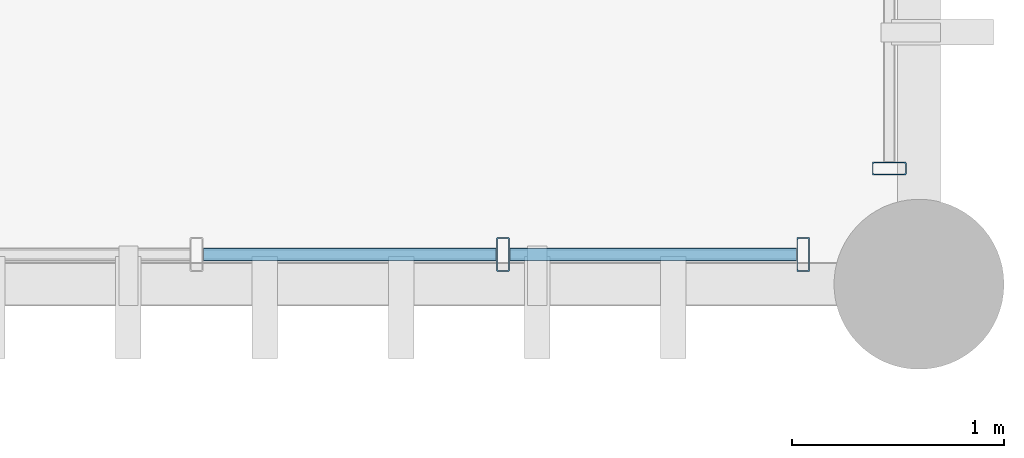
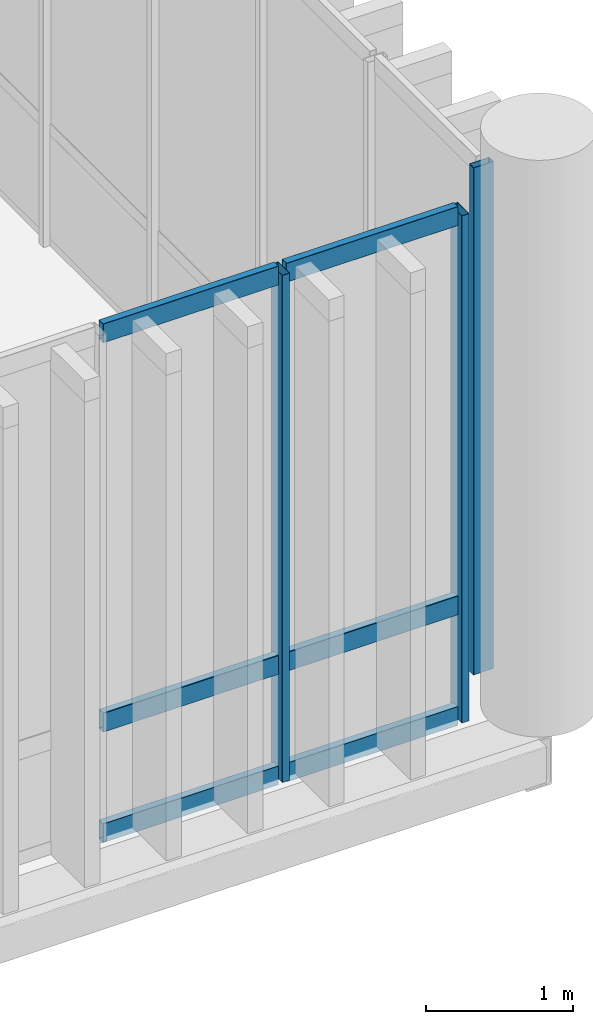
# One storey, part 68 of 109: 9 members, 2 elements without a shape of their own.
"""IFC4 building model written with IfcOpenShell, lengths in metres."""

from ifc_helpers import new_model, si_unit, direction, frame, origin_with_axes, origin_2d_with_axis, place, context, subcontext, project, spatial, hollow_rectangle, extrude, material, material_profile, profile_set, type_object, element, aggregate, save


model = new_model("IFC4")

# Units and contexts
model_context = context("Model", 3, precision=1e-05, world=origin_with_axes(), true_north=direction((0.0, 1.0)))
body_context = subcontext(model_context, "Body", "Model", "MODEL_VIEW")
ifc_project = project(units=[si_unit("LENGTHUNIT", "METRE"), si_unit("AREAUNIT", "SQUARE_METRE"), si_unit("VOLUMEUNIT", "CUBIC_METRE"), si_unit("PLANEANGLEUNIT", "RADIAN"), si_unit("MASSUNIT", "GRAM", prefix="KILO"), si_unit("THERMODYNAMICTEMPERATUREUNIT", "KELVIN")], contexts=[model_context])

# Site, building, storey
site_placement = place(None, origin_with_axes())
site = spatial("IfcSite", under=ifc_project, at=site_placement, CompositionType="ELEMENT")
building_placement = place(site_placement, origin_with_axes())
building = spatial("IfcBuilding", under=site, at=building_placement, Name="Montbau Bow Law Courts", CompositionType="ELEMENT")
storey_placement = place(building_placement, frame((0.0, 0.0, 10.8), z_axis=(0.0, 0.0, 1.0), x_axis=(1.0, 0.0, 0.0)))
storey = spatial("IfcBuildingStorey", under=building, at=storey_placement, Name="L02", CompositionType="ELEMENT", Elevation=10.8)

# Curtain wall, members
ifc_material = material(Name="Thermally Broken Extruded Aluminium AA 6063-T6", Category="aluminium")
curtain_wall_type = type_object("IfcCurtainWallType", Name="CW-SLT-01", PredefinedType="NOTDEFINED", material=ifc_material)
curtain_wall_1_placement = place(None, frame((163.115, 69.74, 10.8), z_axis=(0.0, 0.0, 1.0), x_axis=(1.0, 0.0, 0.0)))
curtain_wall_1 = element("IfcCurtainWall", 1, at=curtain_wall_1_placement, inside=storey, type_object=curtain_wall_type, Name="CW-L02-296:cw_0296", PredefinedType="NOTDEFINED")
ifc_material_profile_1 = material_profile(ifc_material, hollow_rectangle(XDim=0.06, YDim=0.16, WallThickness=0.004, InnerFilletRadius=0.008, OuterFilletRadius=0.004, at=origin_2d_with_axis()), Name="CWM-160X60", Category="Main", Priority=0)
ifc_profile_set_1 = profile_set([ifc_material_profile_1], Name="Thermally Broken Extruded Aluminium AA 6063-T6")
member_type_1 = type_object("IfcMemberType", Name="M-MUL-03", PredefinedType="MULLION", material=ifc_profile_set_1)
member_1_placement = place(None, frame((167.442, 69.74, 10.8), z_axis=(0.0, 0.0, 1.0), x_axis=(1.0, 0.0, 0.0)))
member_1 = element("IfcMember", 2, at=member_1_placement, type_object=member_type_1, Name="CW-L02-296-M04:cw_0296_M04", PredefinedType="MULLION", context=body_context, shape_type="SweptSolid", body=[
    extrude(hollow_rectangle(XDim=0.06, YDim=0.16, WallThickness=0.004, InnerFilletRadius=0.008, OuterFilletRadius=0.004, at=origin_2d_with_axis()), origin_with_axes(), (0.0, 0.0, 1.0), 4.22),
])
member_2_placement = place(None, frame((168.855, 69.74, 10.8), z_axis=(0.0, 0.0, 1.0), x_axis=(1.0, 0.0, 0.0)))
member_2 = element("IfcMember", 3, at=member_2_placement, type_object=member_type_1, Name="CW-L02-296-M05:cw_0296_M05", PredefinedType="MULLION", context=body_context, shape_type="SweptSolid", body=[
    extrude(hollow_rectangle(XDim=0.06, YDim=0.16, WallThickness=0.004, InnerFilletRadius=0.008, OuterFilletRadius=0.004, at=origin_2d_with_axis()), origin_with_axes(), (0.0, 0.0, 1.0), 4.22),
])

# Curtain wall, member
curtain_wall_2_placement = place(None, frame((169.26, 70.115, 10.8), z_axis=(0.0, 0.0, 1.0), x_axis=(1.0, 0.0, 0.0)))
curtain_wall_2 = element("IfcCurtainWall", 4, at=curtain_wall_2_placement, inside=storey, type_object=curtain_wall_type, Name="CW-L02-305:cw_0305", PredefinedType="NOTDEFINED")
member_3_placement = place(None, frame((169.26, 70.145, 10.8), z_axis=(0.0, 0.0, 1.0), x_axis=(0.0, 1.0, 0.0)))
member_3 = element("IfcMember", 5, at=member_3_placement, type_object=member_type_1, Name="CW-L02-305-M01:cw_0305_M01", PredefinedType="MULLION", context=body_context, shape_type="SweptSolid", body=[
    extrude(hollow_rectangle(XDim=0.06, YDim=0.16, WallThickness=0.004, InnerFilletRadius=0.008, OuterFilletRadius=0.004, at=origin_2d_with_axis()), origin_with_axes(), (0.0, 0.0, 1.0), 4.22),
])
aggregate(curtain_wall_2, [member_3])

# Member
ifc_material_profile_2 = material_profile(ifc_material, hollow_rectangle(XDim=0.06, YDim=0.16, WallThickness=0.004, InnerFilletRadius=0.008, OuterFilletRadius=0.004, at=origin_2d_with_axis()), Name="CWT-160X60", Category="Main", Priority=0)
ifc_profile_set_2 = profile_set([ifc_material_profile_2], Name="Thermally Broken Extruded Aluminium AA 6063-T6")
member_type_2 = type_object("IfcMemberType", Name="M-TRN-01", PredefinedType="USERDEFINED", material=ifc_profile_set_2)
member_4_placement = place(None, frame((166.032, 69.74, 10.83), z_axis=(1.0, 0.0, 0.0), x_axis=(0.0, 1.0, 0.0)))
member_4 = element("IfcMember", 6, at=member_4_placement, type_object=member_type_2, Name="CW-L02-296-T03-1:cw_0296_T03_1", ObjectType="TRANSOM", PredefinedType="USERDEFINED", context=body_context, shape_type="SweptSolid", body=[
    extrude(hollow_rectangle(XDim=0.06, YDim=0.16, WallThickness=0.004, InnerFilletRadius=0.008, OuterFilletRadius=0.004, at=origin_2d_with_axis()), origin_with_axes(), (0.0, 0.0, 1.0), 1.378),
])

member_5_placement = place(None, frame((166.032, 69.74, 11.75), z_axis=(1.0, 0.0, 0.0), x_axis=(0.0, 1.0, 0.0)))
member_5 = element("IfcMember", 7, at=member_5_placement, type_object=member_type_2, Name="CW-L02-296-T03-2:cw_0296_T03_2", ObjectType="TRANSOM", PredefinedType="USERDEFINED", context=body_context, shape_type="SweptSolid", body=[
    extrude(hollow_rectangle(XDim=0.06, YDim=0.16, WallThickness=0.004, InnerFilletRadius=0.008, OuterFilletRadius=0.004, at=origin_2d_with_axis()), origin_with_axes(), (0.0, 0.0, 1.0), 1.378),
])

member_6_placement = place(None, frame((166.032, 69.74, 14.99), z_axis=(1.0, 0.0, 0.0), x_axis=(0.0, 1.0, 0.0)))
member_6 = element("IfcMember", 8, at=member_6_placement, type_object=member_type_2, Name="CW-L02-296-T03-3:cw_0296_T03_3", ObjectType="TRANSOM", PredefinedType="USERDEFINED", context=body_context, shape_type="SweptSolid", body=[
    extrude(hollow_rectangle(XDim=0.06, YDim=0.16, WallThickness=0.004, InnerFilletRadius=0.008, OuterFilletRadius=0.004, at=origin_2d_with_axis()), origin_with_axes(), (0.0, 0.0, 1.0), 1.378),
])

member_7_placement = place(None, frame((167.474, 69.74, 10.83), z_axis=(1.0, 0.0, 0.0), x_axis=(0.0, 1.0, 0.0)))
member_7 = element("IfcMember", 9, at=member_7_placement, type_object=member_type_2, Name="CW-L02-296-T04-1:cw_0296_T04_1", ObjectType="TRANSOM", PredefinedType="USERDEFINED", context=body_context, shape_type="SweptSolid", body=[
    extrude(hollow_rectangle(XDim=0.06, YDim=0.16, WallThickness=0.004, InnerFilletRadius=0.008, OuterFilletRadius=0.004, at=origin_2d_with_axis()), origin_with_axes(), (0.0, 0.0, 1.0), 1.349),
])

member_8_placement = place(None, frame((167.474, 69.74, 11.75), z_axis=(1.0, 0.0, 0.0), x_axis=(0.0, 1.0, 0.0)))
member_8 = element("IfcMember", 10, at=member_8_placement, type_object=member_type_2, Name="CW-L02-296-T04-2:cw_0296_T04_2", ObjectType="TRANSOM", PredefinedType="USERDEFINED", context=body_context, shape_type="SweptSolid", body=[
    extrude(hollow_rectangle(XDim=0.06, YDim=0.16, WallThickness=0.004, InnerFilletRadius=0.008, OuterFilletRadius=0.004, at=origin_2d_with_axis()), origin_with_axes(), (0.0, 0.0, 1.0), 1.349),
])

member_9_placement = place(None, frame((167.474, 69.74, 14.99), z_axis=(1.0, 0.0, 0.0), x_axis=(0.0, 1.0, 0.0)))
member_9 = element("IfcMember", 11, at=member_9_placement, type_object=member_type_2, Name="CW-L02-296-T04-3:cw_0296_T04_3", ObjectType="TRANSOM", PredefinedType="USERDEFINED", context=body_context, shape_type="SweptSolid", body=[
    extrude(hollow_rectangle(XDim=0.06, YDim=0.16, WallThickness=0.004, InnerFilletRadius=0.008, OuterFilletRadius=0.004, at=origin_2d_with_axis()), origin_with_axes(), (0.0, 0.0, 1.0), 1.349),
])

aggregate(curtain_wall_1, [member_1, member_2, member_4, member_5, member_6, member_7, member_8, member_9])

save(model, "model.ifc")
